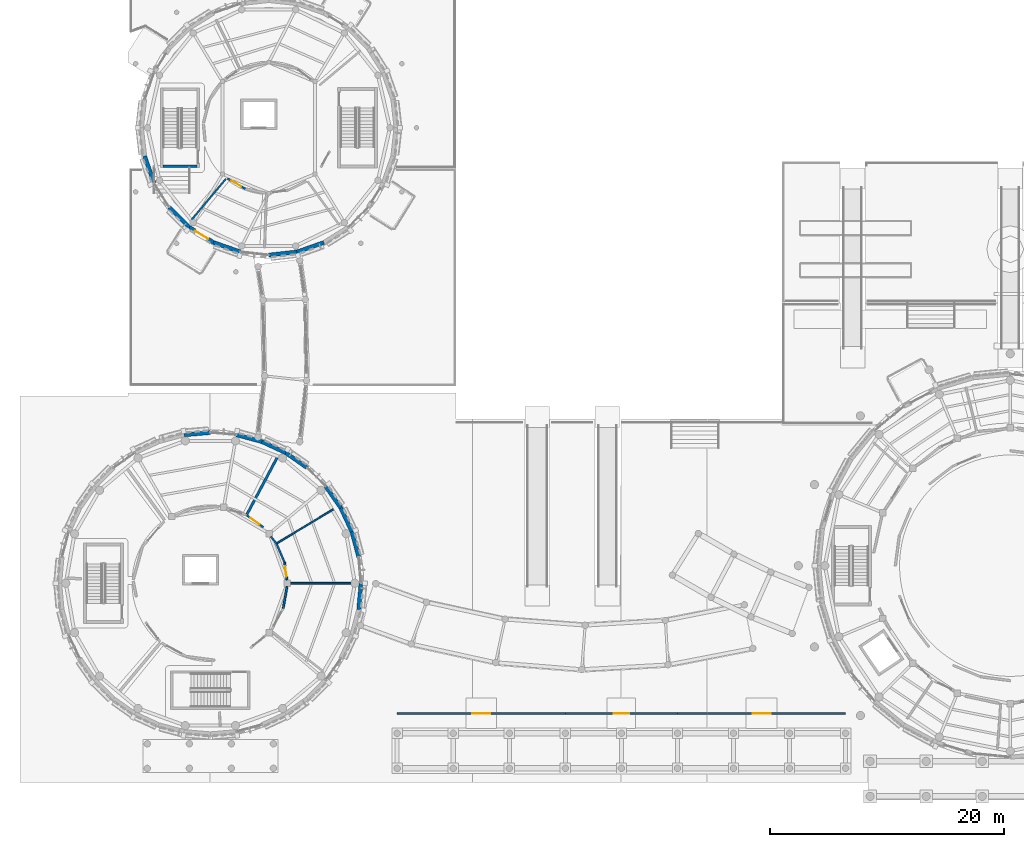
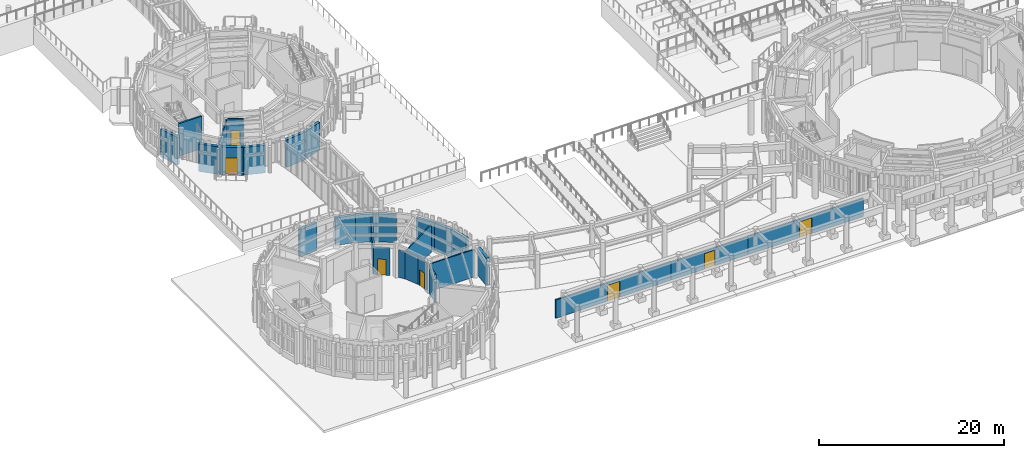
# One storey, part 46 of 94: 28 walls, 7 doors, 7 openings.
"""IFC4 building model written with IfcOpenShell, lengths in metres."""

from ifc_helpers import new_model, si_unit, direction, frame, frame_2d, origin, place, context, subcontext, project, spatial, rectangle, extrude, material, layer, layer_set, type_object, element, fill, save


model = new_model("IFC4")

# Units and contexts
model_context = context("Model", 3, precision=1e-05, world=origin(), true_north=direction((0.0, 1.0)))
body_context = subcontext(model_context, "Body", "Model", "MODEL_VIEW")
ifc_project = project(units=[si_unit("LENGTHUNIT", "METRE"), si_unit("AREAUNIT", "SQUARE_METRE"), si_unit("VOLUMEUNIT", "CUBIC_METRE"), si_unit("PLANEANGLEUNIT", "RADIAN"), si_unit("MASSUNIT", "GRAM", prefix="KILO")], contexts=[model_context])

# Site, building, storey
site_placement = place(None, origin())
site = spatial("IfcSite", under=ifc_project, at=site_placement, CompositionType="ELEMENT")
building_placement = place(site_placement, origin())
building = spatial("IfcBuilding", under=site, at=building_placement, Name="Aldenvaro Health Centre", CompositionType="ELEMENT")
storey_placement = place(building_placement, origin())
storey = spatial("IfcBuildingStorey", under=building, at=storey_placement, Name="L00", CompositionType="ELEMENT", Elevation=0.0)

# Wall
ifc_material_1 = material(Name="Gypsum Stud Acoustic Assembly")
ifc_layer_1 = layer(ifc_material_1, 0.14501953125, Name="Gypsum Stud Acoustic Assembly")
ifc_layer_set_1 = layer_set([ifc_layer_1], Name="Gypsum Stud Acoustic Assembly")
wall_type_1 = type_object("IfcWallType", Name="WL-CLN-145", PredefinedType="PARTITIONING", material=ifc_layer_set_1)
wall_1_placement = place(storey_placement, frame((19.846923828125, 53.14697265625, 0.0), z_axis=(0.0, 0.0, 1.0), x_axis=(-0.64262938355, -0.766177182771, 0.0)))
element("IfcWall", 1, at=wall_1_placement, inside=storey, type_object=wall_type_1, Name="D3 L00 clinical partition 4.1", PredefinedType="PARTITIONING", context=body_context, shape_type="SweptSolid", body=[
    extrude(rectangle(XDim=4.59033203125, YDim=0.14501953125, at=frame_2d((2.295166015625, 0.0))), origin(), (0.0, 0.0, 1.0), 3.634033203125),
])

# Wall, opening, door
ifc_layer_2 = layer(ifc_material_1, 0.1650390625, Name="Gypsum Stud Acoustic Assembly")
ifc_layer_set_2 = layer_set([ifc_layer_2], Name="Gypsum Stud Acoustic Assembly")
wall_type_2 = type_object("IfcWallType", Name="WL-COR-165", PredefinedType="PARTITIONING", material=ifc_layer_set_2)
wall_2_placement = place(storey_placement, frame((19.964111328125, 53.156982421875, 0.0), z_axis=(0.0, 0.0, 1.0), x_axis=(0.865448363254, -0.500998134269, 0.0)))
wall_2 = element("IfcWall", 2, at=wall_2_placement, inside=storey, type_object=wall_type_2, Name="D3 L00 corridor wall 04.1", PredefinedType="PARTITIONING", context=body_context, shape_type="SweptSolid", body=[
    extrude(rectangle(XDim=1.7666015625, YDim=0.1650390625, at=frame_2d((0.88330078125, 0.0))), origin(), (0.0, 0.0, 1.0), 3.634033203125),
])
opening_1_placement = place(wall_2_placement, frame((0.403076171875, 0.0, 0.0)))
opening_1 = element("IfcOpeningElement", 3, at=opening_1_placement, cuts=wall_2, Name="Opening D-02", PredefinedType="OPENING", context=body_context, shape_type="SweptSolid", body=[
    extrude(rectangle(XDim=0.9599609375, YDim=2.1201171875, at=frame_2d((0.47998046875, 1.06005859375))), frame((0.0, 0.092529296875, 0.0), z_axis=(0.0, -1.0, 0.0), x_axis=(1.0, 0.0, 0.0)), (0.0, 0.0, 1.0), 0.18505859375),
])
ifc_material_2 = material(Name="Solid Core Acoustic Timber Door", Category="wood")
door_type_1 = type_object("IfcDoorType", Name="DR-CLN-02", OperationType="NOTDEFINED", PredefinedType="DOOR", material=ifc_material_2)
door_1_placement = place(opening_1_placement, origin())
door_1 = element("IfcDoor", 4, at=door_1_placement, inside=storey, type_object=door_type_1, Name="Rehabilitation Consulting Room 01 Door", OperationType="SINGLE_SWING_LEFT", OverallHeight=2.1201171875, OverallWidth=0.9599609375, PredefinedType="DOOR", context=body_context, shape_type="SweptSolid", body=[
    extrude(rectangle(XDim=0.9599609375, YDim=2.1201171875, at=frame_2d((0.47998046875, 1.06005859375))), frame((0.0, 0.02490234375, 0.0), z_axis=(0.0, -1.0, 0.0), x_axis=(1.0, 0.0, 0.0)), (0.0, 0.0, 1.0), 0.050048828125),
])
fill(opening_1, door_1)

# Wall
wall_3_placement = place(storey_placement, frame((24.739990234375, 16.35107421875, 0.0), z_axis=(0.0, 0.0, 1.0), x_axis=(0.172751349053, 0.984965467111, 0.0)))
element("IfcWall", 5, at=wall_3_placement, inside=storey, type_object=wall_type_2, Name="D5 L00 corridor wall 06.2", PredefinedType="PARTITIONING", context=body_context, shape_type="SweptSolid", body=[
    extrude(rectangle(XDim=1.8994140625, YDim=0.1650390625, at=frame_2d((0.94970703125, 0.0))), origin(), (0.0, 0.0, 1.0), 3.634033203125),
])

# Wall, opening, door
wall_4_placement = place(storey_placement, frame((25.06298828125, 18.777099609375, 0.0), z_axis=(0.0, 0.0, 1.0), x_axis=(-0.135200327393, 0.99081828378, 0.0)))
wall_4 = element("IfcWall", 6, at=wall_4_placement, inside=storey, type_object=wall_type_2, Name="D5 L00 corridor wall 07.1", PredefinedType="PARTITIONING", context=body_context, shape_type="SweptSolid", body=[
    extrude(rectangle(XDim=1.50048828125, YDim=0.1650390625, at=frame_2d((0.750244140625, 0.0))), origin(), (0.0, 0.0, 1.0), 3.634033203125),
])
opening_2_placement = place(wall_4_placement, frame((0.300048828125, 0.0, 0.0)))
opening_2 = element("IfcOpeningElement", 7, at=opening_2_placement, cuts=wall_4, Name="Opening WD-01", PredefinedType="OPENING", context=body_context, shape_type="SweptSolid", body=[
    extrude(rectangle(XDim=0.89990234375, YDim=2.10009765625, at=frame_2d((0.449951171875, 1.050048828125))), frame((0.0, 0.092529296875, 0.0), z_axis=(0.0, -1.0, 0.0), x_axis=(1.0, 0.0, 0.0)), (0.0, 0.0, 1.0), 0.18505859375),
])
ifc_material_3 = material(Name="Moisture-Resistant Laminate Door")
door_type_2 = type_object("IfcDoorType", Name="DR-WC-01", OperationType="NOTDEFINED", PredefinedType="DOOR", material=ifc_material_3)
door_2_placement = place(opening_2_placement, origin())
door_2 = element("IfcDoor", 8, at=door_2_placement, inside=storey, type_object=door_type_2, Name="Male Patient WC Door", OperationType="SINGLE_SWING_LEFT", OverallHeight=2.10009765625, OverallWidth=0.89990234375, PredefinedType="DOOR", context=body_context, shape_type="SweptSolid", body=[
    extrude(rectangle(XDim=0.89990234375, YDim=2.10009765625, at=frame_2d((0.449951171875, 1.050048828125))), frame((0.0, 0.02490234375, 0.0), z_axis=(0.0, -1.0, 0.0), x_axis=(1.0, 0.0, 0.0)), (0.0, 0.0, 1.0), 0.050048828125),
])
fill(opening_2, door_2)

# Walls
wall_5_placement = place(storey_placement, frame((24.860107421875, 20.263916015625, 0.0), z_axis=(0.0, 0.0, 1.0), x_axis=(-0.394218825199, 0.91901660369, 0.0)))
element("IfcWall", 9, at=wall_5_placement, inside=storey, type_object=wall_type_2, Name="D5 L00 corridor wall 07.2", PredefinedType="PARTITIONING", context=body_context, shape_type="SweptSolid", body=[
    extrude(rectangle(XDim=1.7705078125, YDim=0.1650390625, at=frame_2d((0.88525390625, 0.0))), origin(), (0.0, 0.0, 1.0), 3.634033203125),
])
wall_6_placement = place(storey_placement, frame((24.153076171875, 21.906982421875, 0.0), z_axis=(0.0, 0.0, 1.0), x_axis=(-0.627307635753, 0.77877155195, 0.0)))
element("IfcWall", 10, at=wall_6_placement, inside=storey, type_object=wall_type_2, Name="D5 L00 corridor wall 08.1", PredefinedType="PARTITIONING", context=body_context, shape_type="SweptSolid", body=[
    extrude(rectangle(XDim=0.751220703125, YDim=0.1650390625, at=frame_2d((0.37548828125, 0.0))), origin(), (0.0, 0.0, 1.0), 3.634033203125),
])

# Wall, opening, door
wall_7_placement = place(storey_placement, frame((23.04296875, 23.287109375, 0.0), z_axis=(0.0, 0.0, 1.0), x_axis=(-0.811013589362, 0.585027313781, 0.0)))
wall_7 = element("IfcWall", 11, at=wall_7_placement, inside=storey, type_object=wall_type_2, Name="D5 L00 corridor wall 08.2", PredefinedType="PARTITIONING", context=body_context, shape_type="SweptSolid", body=[
    extrude(rectangle(XDim=1.770751953125, YDim=0.1650390625, at=frame_2d((0.88525390625, 0.0))), origin(), (0.0, 0.0, 1.0), 3.634033203125),
])
opening_3_placement = place(wall_7_placement, frame((0.4150390625, 0.0, 0.0)))
opening_3 = element("IfcOpeningElement", 12, at=opening_3_placement, cuts=wall_7, Name="Opening WD-02", PredefinedType="OPENING", context=body_context, shape_type="SweptSolid", body=[
    extrude(rectangle(XDim=0.93994140625, YDim=2.10009765625, at=frame_2d((0.469970703125, 1.050048828125))), frame((0.0, 0.092529296875, 0.0), z_axis=(0.0, -1.0, 0.0), x_axis=(1.0, 0.0, 0.0)), (0.0, 0.0, 1.0), 0.18505859375),
])
ifc_material_4 = material(Name="Accessible Sanitary Laminate Door")
door_type_3 = type_object("IfcDoorType", Name="DR-WC-02", OperationType="NOTDEFINED", PredefinedType="DOOR", material=ifc_material_4)
door_3_placement = place(opening_3_placement, origin())
door_3 = element("IfcDoor", 13, at=door_3_placement, inside=storey, type_object=door_type_3, Name="Female Patient WC Door", OperationType="SINGLE_SWING_RIGHT", OverallHeight=2.10009765625, OverallWidth=0.93994140625, PredefinedType="DOOR", context=body_context, shape_type="SweptSolid", body=[
    extrude(rectangle(XDim=0.93994140625, YDim=2.10009765625, at=frame_2d((0.469970703125, 1.050048828125))), frame((0.0, 0.02490234375, 0.0), z_axis=(0.0, -1.0, 0.0), x_axis=(1.0, 0.0, 0.0)), (0.0, 0.0, 1.0), 0.050048828125),
])
fill(opening_3, door_3)

# Walls
ifc_material_5 = material(Name="Concrete f'c 35 MPa", Category="concrete")
ifc_layer_3 = layer(ifc_material_5, 0.340087890625, Name="Concrete f'c 35 MPa", Category="concrete")
ifc_layer_set_3 = layer_set([ifc_layer_3], Name="Concrete f'c 35 MPa")
wall_type_3 = type_object("IfcWallType", Name="WL-EXT-340", PredefinedType="SOLIDWALL", material=ifc_layer_set_3)
wall_8_placement = place(storey_placement, frame((28.22900390625, 47.678955078125, 0.0), z_axis=(0.0, 0.0, 1.0), x_axis=(-0.943919156274, -0.330176659411, 0.0)))
element("IfcWall", 14, at=wall_8_placement, inside=storey, type_object=wall_type_3, Name="D3 L00 exterior wall 06", PredefinedType="SOLIDWALL", context=body_context, shape_type="SweptSolid", body=[
    extrude(rectangle(XDim=2.44091796875, YDim=0.340087890625, at=frame_2d((1.220458984375, 0.0))), origin(), (0.0, 0.0, 1.0), 3.658935546875),
])
wall_9_placement = place(storey_placement, frame((25.925048828125, 46.873046875, 0.0), z_axis=(0.0, 0.0, 1.0), x_axis=(-0.993725340882, -0.111847873866, 0.0)))
element("IfcWall", 15, at=wall_9_placement, inside=storey, type_object=wall_type_3, Name="D3 L00 exterior wall 07", PredefinedType="SOLIDWALL", context=body_context, shape_type="SweptSolid", body=[
    extrude(rectangle(XDim=2.4404296875, YDim=0.340087890625, at=frame_2d((1.22021484375, 0.0))), origin(), (0.0, 0.0, 1.0), 3.658935546875),
])
wall_10_placement = place(storey_placement, frame((21.074951171875, 46.873046875, 0.0), z_axis=(0.0, 0.0, 1.0), x_axis=(-0.943919156274, 0.330176659411, 0.0)))
element("IfcWall", 16, at=wall_10_placement, inside=storey, type_object=wall_type_3, Name="D3 L00 exterior wall 09", PredefinedType="SOLIDWALL", context=body_context, shape_type="SweptSolid", body=[
    extrude(rectangle(XDim=2.44091796875, YDim=0.340087890625, at=frame_2d((1.220458984375, 0.0))), origin(), (0.0, 0.0, 1.0), 3.658935546875),
])

# Wall, opening, door
wall_11_placement = place(storey_placement, frame((18.77099609375, 47.678955078125, 0.0), z_axis=(0.0, 0.0, 1.0), x_axis=(-0.846658434148, 0.532136726684, 0.0)))
wall_11 = element("IfcWall", 17, at=wall_11_placement, inside=storey, type_object=wall_type_3, Name="D3 L00 exterior wall 10", PredefinedType="SOLIDWALL", context=body_context, shape_type="SweptSolid", body=[
    extrude(rectangle(XDim=2.441162109375, YDim=0.340087890625, at=frame_2d((1.220703125, 0.0))), origin(), (0.0, 0.0, 1.0), 3.658935546875),
])
opening_4_placement = place(wall_11_placement, frame((0.571044921875, 0.0, 0.0)))
opening_4 = element("IfcOpeningElement", 18, at=opening_4_placement, cuts=wall_11, Name="Opening ED-06", PredefinedType="OPENING", context=body_context, shape_type="SweptSolid", body=[
    extrude(rectangle(XDim=1.300048828125, YDim=2.25, at=frame_2d((0.64990234375, 1.125))), frame((0.0, 0.18017578125, 0.0), z_axis=(0.0, -1.0, 0.0), x_axis=(1.0, 0.0, 0.0)), (0.0, 0.0, 1.0), 0.360107421875),
])
ifc_material_6 = material(Name="Thermally Broken Glazed Aluminium", Category="aluminium")
door_type_4 = type_object("IfcDoorType", Name="DR-GDN-130", OperationType="NOTDEFINED", PredefinedType="DOOR", material=ifc_material_6)
door_4_placement = place(opening_4_placement, origin())
door_4 = element("IfcDoor", 19, at=door_4_placement, inside=storey, type_object=door_type_4, Name="Pedestrian Final Exit Door 14", OperationType="SINGLE_SWING_RIGHT", OverallHeight=2.25, OverallWidth=1.300048828125, PredefinedType="DOOR", context=body_context, shape_type="SweptSolid", body=[
    extrude(rectangle(XDim=1.300048828125, YDim=2.25, at=frame_2d((0.64990234375, 1.125))), frame((0.0, 0.02490234375, 0.0), z_axis=(0.0, -1.0, 0.0), x_axis=(1.0, 0.0, 0.0)), (0.0, 0.0, 1.0), 0.050048828125),
])
fill(opening_4, door_4)

# Walls
for number, where, z_axis, x_axis, name in (
    (20, (16.7041015625, 48.97802734375, 0.0), (0.0, 0.0, 1.0), (-0.707106781187, 0.707106781187, 0.0), "D3 L00 exterior wall 11"),
    (21, (13.678955078125, 52.77099609375, 0.0), (0.0, 0.0, 1.0), (-0.330176659411, 0.943919156274, 0.0), "D3 L00 exterior wall 13"),
):
    element("IfcWall", number, at=place(storey_placement, frame(where, z_axis=z_axis, x_axis=x_axis)), inside=storey, type_object=wall_type_3, Name=name, PredefinedType="SOLIDWALL", context=body_context, shape_type="SweptSolid", body=[
        extrude(rectangle(XDim=2.44091796875, YDim=0.340087890625, at=frame_2d((1.220458984375, 0.0))), origin(), (0.0, 0.0, 1.0), 3.658935546875),
    ])
for number, where, z_axis, x_axis, name in (
    (22, (31.39990234375, 18.5, 0.0), (0.0, 0.0, 1.0), (-0.087079400775, -0.996201374201, 0.0), "D5 L00 exterior wall 01"),
    (23, (16.260009765625, 31.2041015625, 0.0), (0.0, 0.0, 1.0), (0.996201374201, 0.087079400775, 0.0), "D5 L00 exterior wall 27"),
):
    element("IfcWall", number, at=place(storey_placement, frame(where, z_axis=z_axis, x_axis=x_axis)), inside=storey, type_object=wall_type_3, Name=name, PredefinedType="SOLIDWALL", context=body_context, shape_type="SweptSolid", body=[
        extrude(rectangle(XDim=2.24853515625, YDim=0.340087890625, at=frame_2d((1.124267578125, 0.0))), origin(), (0.0, 0.0, 1.0), 3.658935546875),
    ])
wall_12_placement = place(storey_placement, frame((20.739990234375, 31.2041015625, 0.0), z_axis=(0.0, 0.0, 1.0), x_axis=(0.96592430538, -0.258824721145, 0.0)))
element("IfcWall", 24, at=wall_12_placement, inside=storey, type_object=wall_type_3, Name="D5 L00 exterior wall 29", PredefinedType="SOLIDWALL", context=body_context, shape_type="SweptSolid", body=[
    extrude(rectangle(XDim=2.248779296875, YDim=0.340087890625, at=frame_2d((1.12451171875, 0.0))), origin(), (0.0, 0.0, 1.0), 3.658935546875),
])
wall_13_placement = place(storey_placement, frame((22.912109375, 30.6220703125, 0.0), z_axis=(0.0, 0.0, 1.0), x_axis=(0.906360600886, -0.422504983593, 0.0)))
element("IfcWall", 25, at=wall_13_placement, inside=storey, type_object=wall_type_3, Name="D5 L00 exterior wall 30", PredefinedType="SOLIDWALL", context=body_context, shape_type="SweptSolid", body=[
    extrude(rectangle(XDim=2.248291015625, YDim=0.340087890625, at=frame_2d((1.1240234375, 0.0))), origin(), (0.0, 0.0, 1.0), 3.658935546875),
])
for number, where, z_axis, x_axis, name in (
    (26, (24.949951171875, 29.672119140625, 0.0), (0.0, 0.0, 1.0), (0.819104393925, -0.573644482107, 0.0), "D5 L00 exterior wall 31"),
    (27, (28.382080078125, 26.7919921875, 0.0), (0.0, 0.0, 1.0), (0.573644482107, -0.819104393925, 0.0), "D5 L00 exterior wall 33"),
):
    element("IfcWall", number, at=place(storey_placement, frame(where, z_axis=z_axis, x_axis=x_axis)), inside=storey, type_object=wall_type_3, Name=name, PredefinedType="SOLIDWALL", context=body_context, shape_type="SweptSolid", body=[
        extrude(rectangle(XDim=2.248779296875, YDim=0.340087890625, at=frame_2d((1.12451171875, 0.0))), origin(), (0.0, 0.0, 1.0), 3.658935546875),
    ])
wall_14_placement = place(storey_placement, frame((29.672119140625, 24.949951171875, 0.0), z_axis=(0.0, 0.0, 1.0), x_axis=(0.422504983593, -0.906360600886, 0.0)))
element("IfcWall", 28, at=wall_14_placement, inside=storey, type_object=wall_type_3, Name="D5 L00 exterior wall 34", PredefinedType="SOLIDWALL", context=body_context, shape_type="SweptSolid", body=[
    extrude(rectangle(XDim=2.248291015625, YDim=0.340087890625, at=frame_2d((1.1240234375, 0.0))), origin(), (0.0, 0.0, 1.0), 3.658935546875),
])
wall_15_placement = place(storey_placement, frame((30.6220703125, 22.912109375, 0.0), z_axis=(0.0, 0.0, 1.0), x_axis=(0.258824721145, -0.96592430538, 0.0)))
element("IfcWall", 29, at=wall_15_placement, inside=storey, type_object=wall_type_3, Name="D5 L00 exterior wall 35", PredefinedType="SOLIDWALL", context=body_context, shape_type="SweptSolid", body=[
    extrude(rectangle(XDim=2.248779296875, YDim=0.340087890625, at=frame_2d((1.12451171875, 0.0))), origin(), (0.0, 0.0, 1.0), 3.658935546875),
])
ifc_layer_4 = layer(ifc_material_5, 0.215087890625, Name="Concrete f'c 35 MPa", Category="concrete")
ifc_layer_set_4 = layer_set([ifc_layer_4], Name="Concrete f'c 35 MPa")
wall_type_4 = type_object("IfcWallType", Name="WL-IMG-215", PredefinedType="SOLIDWALL", material=ifc_layer_set_4)
wall_16_placement = place(storey_placement, frame((21.636962890625, 24.40087890625, 0.0), z_axis=(0.0, 0.0, 1.0), x_axis=(0.469553538459, 0.882904000739, 0.0)))
element("IfcWall", 30, at=wall_16_placement, inside=storey, type_object=wall_type_4, Name="D5 L00 clinical partition 1.1", PredefinedType="SOLIDWALL", context=body_context, shape_type="SweptSolid", body=[
    extrude(rectangle(XDim=5.586181640625, YDim=0.215087890625, at=frame_2d((2.79296875, 0.0))), origin(), (0.0, 0.0, 1.0), 3.634033203125),
])

# Wall, opening, door
ifc_layer_5 = layer(ifc_material_5, 0.195068359375, Name="Concrete f'c 35 MPa", Category="concrete")
ifc_layer_set_5 = layer_set([ifc_layer_5], Name="Concrete f'c 35 MPa")
wall_type_5 = type_object("IfcWallType", Name="WL-PAR-195", PredefinedType="PARAPET", material=ifc_layer_set_5)
wall_17_placement = place(storey_placement, frame((48.89990234375, 7.35009765625, 0.0), z_axis=(0.0, 0.0, 1.0), x_axis=(-1.0, 0.0, 0.0)))
wall_17 = element("IfcWall", 31, at=wall_17_placement, inside=storey, type_object=wall_type_5, Name="Neoclassical Courtyard Garden Screen Wall 1", PredefinedType="PARAPET", context=body_context, shape_type="SweptSolid", body=[
    extrude(rectangle(XDim=14.39990234375, YDim=0.195068359375, at=frame_2d((7.199951171875, 0.0))), origin(), (0.0, 0.0, 1.0), 2.419921875),
])
opening_5_placement = place(wall_17_placement, frame((6.425048828125, 0.0, 0.0)))
opening_5 = element("IfcOpeningElement", 32, at=opening_5_placement, cuts=wall_17, Name="Opening GT-01", PredefinedType="OPENING", context=body_context, shape_type="SweptSolid", body=[
    extrude(rectangle(XDim=1.550048828125, YDim=2.10009765625, at=frame_2d((0.77490234375, 1.050048828125))), frame((0.0, 0.107421875, 0.0), z_axis=(0.0, -1.0, 0.0), x_axis=(1.0, 0.0, 0.0)), (0.0, 0.0, 1.0), 0.215087890625),
])
ifc_material_7 = material(Name="Architectural Painted Steel", Category="steel")
door_type_5 = type_object("IfcDoorType", Name="DR-GATE-155", OperationType="NOTDEFINED", PredefinedType="GATE", material=ifc_material_7)
door_5_placement = place(opening_5_placement, origin())
door_5 = element("IfcDoor", 33, at=door_5_placement, inside=storey, type_object=door_type_5, Name="Exterior Therapy Garden Security Gate 1", OperationType="SINGLE_SWING_LEFT", OverallHeight=2.10009765625, OverallWidth=1.550048828125, PredefinedType="GATE", context=body_context, shape_type="SweptSolid", body=[
    extrude(rectangle(XDim=1.550048828125, YDim=2.10009765625, at=frame_2d((0.77490234375, 1.050048828125))), frame((0.0, 0.02490234375, 0.0), z_axis=(0.0, -1.0, 0.0), x_axis=(1.0, 0.0, 0.0)), (0.0, 0.0, 1.0), 0.050048828125),
])
fill(opening_5, door_5)

wall_18_placement = place(storey_placement, frame((58.5, 7.35009765625, 0.0), z_axis=(0.0, 0.0, 1.0), x_axis=(-1.0, 0.0, 0.0)))
wall_18 = element("IfcWall", 34, at=wall_18_placement, inside=storey, type_object=wall_type_5, Name="Neoclassical Courtyard Garden Screen Wall 2", PredefinedType="PARAPET", context=body_context, shape_type="SweptSolid", body=[
    extrude(rectangle(XDim=9.597900390625, YDim=0.195068359375, at=frame_2d((4.798828125, 0.0))), origin(), (0.0, 0.0, 1.0), 2.3701171875),
])
opening_6_placement = place(wall_18_placement, frame((4.1240234375, 0.0, 0.0)))
opening_6 = element("IfcOpeningElement", 35, at=opening_6_placement, cuts=wall_18, Name="Opening GT-02", PredefinedType="OPENING", context=body_context, shape_type="SweptSolid", body=[
    extrude(rectangle(XDim=1.35009765625, YDim=2.050048828125, at=frame_2d((0.675048828125, 1.02490234375))), frame((0.0, 0.107421875, 0.0), z_axis=(0.0, -1.0, 0.0), x_axis=(1.0, 0.0, 0.0)), (0.0, 0.0, 1.0), 0.215087890625),
])
door_type_6 = type_object("IfcDoorType", Name="DR-GATE-135", OperationType="NOTDEFINED", PredefinedType="GATE", material=ifc_material_7)
door_6_placement = place(opening_6_placement, origin())
door_6 = element("IfcDoor", 36, at=door_6_placement, inside=storey, type_object=door_type_6, Name="Exterior Therapy Garden Security Gate 2", OperationType="SINGLE_SWING_RIGHT", OverallHeight=2.050048828125, OverallWidth=1.35009765625, PredefinedType="GATE", context=body_context, shape_type="SweptSolid", body=[
    extrude(rectangle(XDim=1.35009765625, YDim=2.050048828125, at=frame_2d((0.675048828125, 1.02490234375))), frame((0.0, 0.02490234375, 0.0), z_axis=(0.0, -1.0, 0.0), x_axis=(1.0, 0.0, 0.0)), (0.0, 0.0, 1.0), 0.050048828125),
])
fill(opening_6, door_6)

wall_19_placement = place(storey_placement, frame((72.89990234375, 7.35009765625, 0.0), z_axis=(0.0, 0.0, 1.0), x_axis=(-1.0, 0.0, 0.0)))
wall_19 = element("IfcWall", 37, at=wall_19_placement, inside=storey, type_object=wall_type_5, Name="Neoclassical Courtyard Garden Screen Wall 3", PredefinedType="PARAPET", context=body_context, shape_type="SweptSolid", body=[
    extrude(rectangle(XDim=14.39794921875, YDim=0.195068359375, at=frame_2d((7.198974609375, 0.0))), origin(), (0.0, 0.0, 1.0), 2.419921875),
])
opening_7_placement = place(wall_19_placement, frame((6.424072265625, 0.0, 0.0)))
opening_7 = element("IfcOpeningElement", 38, at=opening_7_placement, cuts=wall_19, Name="Opening GT-01", PredefinedType="OPENING", context=body_context, shape_type="SweptSolid", body=[
    extrude(rectangle(XDim=1.550048828125, YDim=2.10009765625, at=frame_2d((0.77490234375, 1.050048828125))), frame((0.0, 0.107421875, 0.0), z_axis=(0.0, -1.0, 0.0), x_axis=(1.0, 0.0, 0.0)), (0.0, 0.0, 1.0), 0.215087890625),
])
door_7_placement = place(opening_7_placement, origin())
door_7 = element("IfcDoor", 39, at=door_7_placement, inside=storey, type_object=door_type_5, Name="Exterior Therapy Garden Security Gate 3", OperationType="SINGLE_SWING_LEFT", OverallHeight=2.10009765625, OverallWidth=1.550048828125, PredefinedType="GATE", context=body_context, shape_type="SweptSolid", body=[
    extrude(rectangle(XDim=1.550048828125, YDim=2.10009765625, at=frame_2d((0.77490234375, 1.050048828125))), frame((0.0, 0.02490234375, 0.0), z_axis=(0.0, -1.0, 0.0), x_axis=(1.0, 0.0, 0.0)), (0.0, 0.0, 1.0), 0.050048828125),
])
fill(opening_7, door_7)

# Walls
ifc_material_8 = material(Name="Concrete f'c 40 MPa", Category="concrete")
ifc_layer_6 = layer(ifc_material_8, 0.199951171875, Name="Concrete f'c 40 MPa", Category="concrete")
ifc_layer_set_6 = layer_set([ifc_layer_6], Name="Concrete f'c 40 MPa")
wall_type_6 = type_object("IfcWallType", Name="WL-SHAFT-200", PredefinedType="SHEAR", material=ifc_layer_set_6)
wall_20_placement = place(storey_placement, frame((17.35009765625, 54.199951171875, 0.0), z_axis=(0.0, 0.0, 1.0), x_axis=(-1.0, 0.0, 0.0)))
element("IfcWall", 40, at=wall_20_placement, inside=storey, type_object=wall_type_6, Name="ST-06 L00 side core wall L", PredefinedType="SHEAR", context=body_context, shape_type="SweptSolid", body=[
    extrude(rectangle(XDim=2.900146484375, YDim=0.199951171875, at=frame_2d((1.4501953125, 0.0))), origin(), (0.0, 0.0, 1.0), 4.304931640625),
])
ifc_material_9 = material(Name="Moisture-Resistant Plumbing Stud Wall")
ifc_layer_7 = layer(ifc_material_9, 0.135009765625, Name="Moisture-Resistant Plumbing Stud Wall")
ifc_layer_set_7 = layer_set([ifc_layer_7], Name="Moisture-Resistant Plumbing Stud Wall")
wall_type_7 = type_object("IfcWallType", Name="WL-WET-135", PredefinedType="PLUMBINGWALL", material=ifc_layer_set_7)
wall_21_placement = place(storey_placement, frame((25.18310546875, 18.5, 0.0), z_axis=(0.0, 0.0, 1.0), x_axis=(1.0, 0.0, 0.0)))
element("IfcWall", 41, at=wall_21_placement, inside=storey, type_object=wall_type_7, Name="D5 L00 clinical partition 7.1", PredefinedType="PLUMBINGWALL", context=body_context, shape_type="SweptSolid", body=[
    extrude(rectangle(XDim=5.615966796875, YDim=0.135009765625, at=frame_2d((2.80810546875, 0.0))), origin(), (0.0, 0.0, 1.0), 3.634033203125),
])
wall_22_placement = place(storey_placement, frame((24.22802734375, 21.94189453125, 0.0), z_axis=(0.0, 0.0, 1.0), x_axis=(0.857177321279, 0.515021397501, 0.0)))
element("IfcWall", 42, at=wall_22_placement, inside=storey, type_object=wall_type_7, Name="D5 L00 clinical partition 8.1", PredefinedType="PLUMBINGWALL", context=body_context, shape_type="SweptSolid", body=[
    extrude(rectangle(XDim=5.599853515625, YDim=0.135009765625, at=frame_2d((2.7998046875, 0.0))), origin(), (0.0, 0.0, 1.0), 3.634033203125),
])

save(model, "model.ifc")
